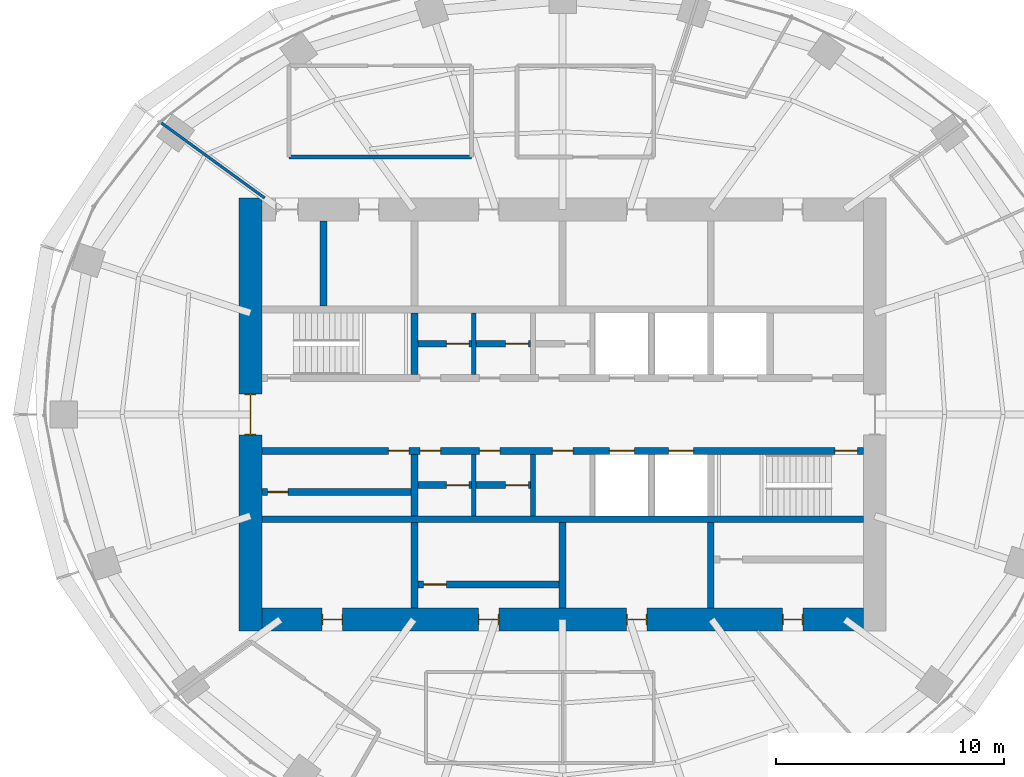
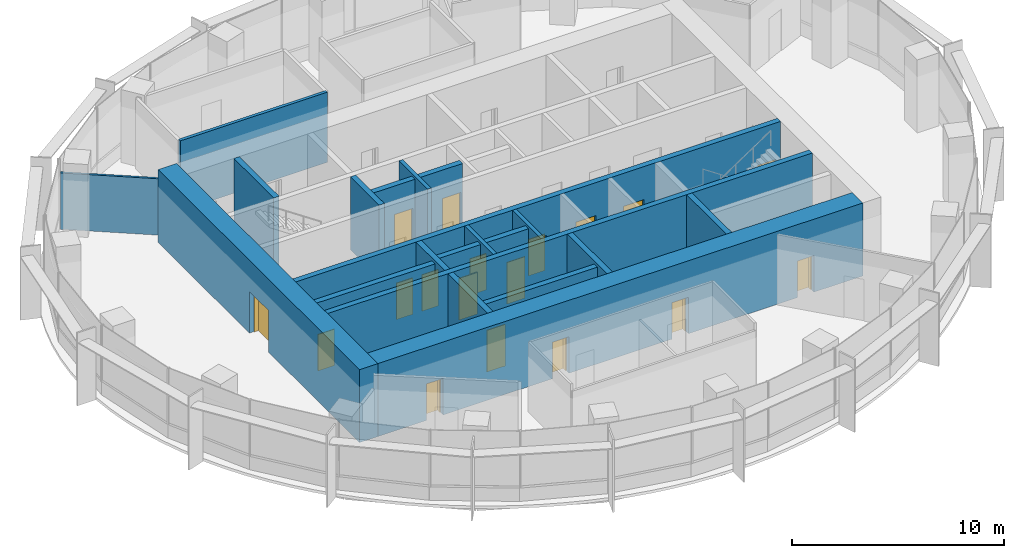
# One storey, part 9 of 13: 21 walls, 18 doors, 18 openings.
"""IFC4 building model written with IfcOpenShell, lengths in metres."""

from ifc_helpers import new_model, si_unit, direction, frame, frame_2d, origin, place, context, subcontext, project, spatial, rectangle, extrude, material, layer, layer_set, type_object, element, fill, save


model = new_model("IFC4")

# Units and contexts
model_context = context("Model", 3, precision=1e-05, world=origin(), true_north=direction((0.0, 1.0)))
body_context = subcontext(model_context, "Body", "Model", "MODEL_VIEW")
ifc_project = project(units=[si_unit("LENGTHUNIT", "METRE"), si_unit("AREAUNIT", "SQUARE_METRE"), si_unit("VOLUMEUNIT", "CUBIC_METRE"), si_unit("PLANEANGLEUNIT", "RADIAN"), si_unit("MASSUNIT", "GRAM", prefix="KILO")], contexts=[model_context])

# Site, building, storey
site_placement = place(None, origin())
site = spatial("IfcSite", under=ifc_project, at=site_placement, CompositionType="ELEMENT")
building_placement = place(site_placement, origin())
building = spatial("IfcBuilding", under=site, at=building_placement, Name="Marramba Exchange Tower", CompositionType="ELEMENT")
storey_placement = place(building_placement, frame((0.0, 0.0, 268.60009765625)))
storey = spatial("IfcBuildingStorey", under=building, at=storey_placement, Name="L65", CompositionType="ELEMENT", Elevation=268.60009765625)

# Walls
ifc_material_1 = material(Name="Plasterboard on staggered double steel studs, acoustic insulation", Category="steel")
ifc_layer_1 = layer(ifc_material_1, 0.169921875)
ifc_layer_set_1 = layer_set([ifc_layer_1], Name="Acoustic partition 170")
wall_type_1 = type_object("IfcWallType", Name="Acoustic partition 170", PredefinedType="PARTITIONING", material=ifc_layer_set_1)
wall_1_placement = place(storey_placement, frame((-4.0, 11.300048828125, 0.0), z_axis=(0.0, 0.0, 1.0), x_axis=(-1.0, 0.0, 0.0)))
element("IfcWall", 1, at=wall_1_placement, inside=storey, type_object=wall_type_1, Name="Acoustic partition L65 22", PredefinedType="PARTITIONING", context=body_context, shape_type="SweptSolid", body=[
    extrude(rectangle(XDim=8.0, YDim=0.169921875, at=frame_2d((4.0, 0.0))), origin(), (0.0, 0.0, 1.0), 4.039794921875),
])
ifc_material_2 = material(Name="Concrete N50", Category="concrete")
ifc_layer_2 = layer(ifc_material_2, 0.199951171875)
ifc_layer_set_2 = layer_set([ifc_layer_2], Name="Core shaft wall 200")
wall_type_2 = type_object("IfcWallType", Name="Core shaft wall 200", PredefinedType="SHEAR", material=ifc_layer_set_2)
for number, where, z_axis, x_axis, name in (
    (2, (-3.89990234375, 1.75, 0.0), (0.0, 0.0, 1.0), (0.0, 1.0, 0.0), "Core wall SHN1 L65"),
    (3, (-3.89990234375, -1.75, 0.0), (0.0, 0.0, 1.0), (0.0, -1.0, 0.0), "Core wall SHS1 L65"),
    (4, (-1.300048828125, -1.75, 0.0), (0.0, 0.0, 1.0), (0.0, -1.0, 0.0), "Core wall SHS2 L65"),
):
    element("IfcWall", number, at=place(storey_placement, frame(where, z_axis=z_axis, x_axis=x_axis)), inside=storey, type_object=wall_type_2, Name=name, PredefinedType="SHEAR", context=body_context, shape_type="SweptSolid", body=[
        extrude(rectangle(XDim=2.699951171875, YDim=0.199951171875, at=frame_2d((1.35009765625, 0.0))), origin(), (0.0, 0.0, 1.0), 4.199951171875),
    ])

# Wall, openings, doors
ifc_layer_3 = layer(ifc_material_2, 1.0)
ifc_layer_set_3 = layer_set([ifc_layer_3], Name="Core wall 1000")
wall_type_3 = type_object("IfcWallType", Name="Core wall 1000", PredefinedType="SHEAR", material=ifc_layer_set_3)
wall_2_placement = place(storey_placement, frame((-13.199951171875, -9.0, 0.0), z_axis=(0.0, 0.0, 1.0), x_axis=(1.0, 0.0, 0.0)))
wall_2 = element("IfcWall", 5, at=wall_2_placement, inside=storey, type_object=wall_type_3, Name="Core wall S L65", PredefinedType="SHEAR", context=body_context, shape_type="SweptSolid", body=[
    extrude(rectangle(XDim=26.39990234375, YDim=1.0, at=frame_2d((13.199951171875, 0.0))), origin(), (0.0, 0.0, 1.0), 4.199951171875),
])
opening_1_placement = place(wall_2_placement, frame((2.64990234375, 0.0, 0.0)))
opening_1 = element("IfcOpeningElement", 6, at=opening_1_placement, cuts=wall_2, Name="Opening D5", PredefinedType="OPENING", context=body_context, shape_type="SweptSolid", body=[
    extrude(rectangle(XDim=0.89990234375, YDim=2.10009765625, at=frame_2d((0.449951171875, 1.050048828125))), frame((0.0, 0.510009765625, 0.0), z_axis=(0.0, -1.0, 0.0), x_axis=(1.0, 0.0, 0.0)), (0.0, 0.0, 1.0), 1.02001953125),
])
opening_2_placement = place(wall_2_placement, frame((9.5, 0.0, 0.0)))
opening_2 = element("IfcOpeningElement", 7, at=opening_2_placement, cuts=wall_2, Name="Opening D5", PredefinedType="OPENING", context=body_context, shape_type="SweptSolid", body=[
    extrude(rectangle(XDim=0.89990234375, YDim=2.10009765625, at=frame_2d((0.449951171875, 1.050048828125))), frame((0.0, 0.510009765625, 0.0), z_axis=(0.0, -1.0, 0.0), x_axis=(1.0, 0.0, 0.0)), (0.0, 0.0, 1.0), 1.02001953125),
])
opening_3_placement = place(wall_2_placement, frame((16.0, 0.0, 0.0)))
opening_3 = element("IfcOpeningElement", 8, at=opening_3_placement, cuts=wall_2, Name="Opening D5", PredefinedType="OPENING", context=body_context, shape_type="SweptSolid", body=[
    extrude(rectangle(XDim=0.89990234375, YDim=2.10009765625, at=frame_2d((0.449951171875, 1.050048828125))), frame((0.0, 0.510009765625, 0.0), z_axis=(0.0, -1.0, 0.0), x_axis=(1.0, 0.0, 0.0)), (0.0, 0.0, 1.0), 1.02001953125),
])
opening_4_placement = place(wall_2_placement, frame((22.85009765625, 0.0, 0.0)))
opening_4 = element("IfcOpeningElement", 9, at=opening_4_placement, cuts=wall_2, Name="Opening D5", PredefinedType="OPENING", context=body_context, shape_type="SweptSolid", body=[
    extrude(rectangle(XDim=0.89990234375, YDim=2.10009765625, at=frame_2d((0.449951171875, 1.050048828125))), frame((0.0, 0.510009765625, 0.0), z_axis=(0.0, -1.0, 0.0), x_axis=(1.0, 0.0, 0.0)), (0.0, 0.0, 1.0), 1.02001953125),
])
ifc_material_3 = material(Name="Steel-framed door", Category="steel")
door_type_1 = type_object("IfcDoorType", Name="Service door 900x2100", OperationType="SINGLE_SWING_LEFT", PredefinedType="DOOR", material=ifc_material_3)
door_1_placement = place(opening_1_placement, origin())
door_1 = element("IfcDoor", 10, at=door_1_placement, inside=storey, type_object=door_type_1, Name="D5 ahu L65", OperationType="SINGLE_SWING_LEFT", OverallHeight=2.10009765625, OverallWidth=0.89990234375, PredefinedType="DOOR", context=body_context, shape_type="SweptSolid", body=[
    extrude(rectangle(XDim=0.81982421875, YDim=2.06005859375, at=frame_2d((0.449951171875, 1.030029296875))), frame((0.0, 0.02490234375, 0.0), z_axis=(0.0, -1.0, 0.0), x_axis=(1.0, 0.0, 0.0)), (0.0, 0.0, 1.0), 0.050048828125),
    extrude(rectangle(XDim=0.04, YDim=2.10009765625, at=frame_2d((0.02001953125, 1.050048828125))), frame((0.0, 0.25, 0.0), z_axis=(0.0, -1.0, 0.0), x_axis=(1.0, 0.0, 0.0)), (0.0, 0.0, 1.0), 0.5),
    extrude(rectangle(XDim=0.04, YDim=2.10009765625, at=frame_2d((0.8798828125, 1.050048828125))), frame((0.0, 0.25, 0.0), z_axis=(0.0, -1.0, 0.0), x_axis=(1.0, 0.0, 0.0)), (0.0, 0.0, 1.0), 0.5),
    extrude(rectangle(XDim=0.81982421875, YDim=0.04, at=frame_2d((0.449951171875, 2.080078125))), frame((0.0, 0.25, 0.0), z_axis=(0.0, -1.0, 0.0), x_axis=(1.0, 0.0, 0.0)), (0.0, 0.0, 1.0), 0.5),
])
fill(opening_1, door_1)
door_2_placement = place(opening_2_placement, origin())
door_2 = element("IfcDoor", 11, at=door_2_placement, inside=storey, type_object=door_type_1, Name="D5 store L65", OperationType="SINGLE_SWING_RIGHT", OverallHeight=2.10009765625, OverallWidth=0.89990234375, PredefinedType="DOOR", context=body_context, shape_type="SweptSolid", body=[
    extrude(rectangle(XDim=0.81982421875, YDim=2.06005859375, at=frame_2d((0.449951171875, 1.030029296875))), frame((0.0, 0.02490234375, 0.0), z_axis=(0.0, -1.0, 0.0), x_axis=(1.0, 0.0, 0.0)), (0.0, 0.0, 1.0), 0.050048828125),
    extrude(rectangle(XDim=0.04, YDim=2.10009765625, at=frame_2d((0.02001953125, 1.050048828125))), frame((0.0, 0.25, 0.0), z_axis=(0.0, -1.0, 0.0), x_axis=(1.0, 0.0, 0.0)), (0.0, 0.0, 1.0), 0.5),
    extrude(rectangle(XDim=0.04, YDim=2.10009765625, at=frame_2d((0.8798828125, 1.050048828125))), frame((0.0, 0.25, 0.0), z_axis=(0.0, -1.0, 0.0), x_axis=(1.0, 0.0, 0.0)), (0.0, 0.0, 1.0), 0.5),
    extrude(rectangle(XDim=0.81982421875, YDim=0.04, at=frame_2d((0.449951171875, 2.080078125))), frame((0.0, 0.25, 0.0), z_axis=(0.0, -1.0, 0.0), x_axis=(1.0, 0.0, 0.0)), (0.0, 0.0, 1.0), 0.5),
])
fill(opening_2, door_2)
door_3_placement = place(opening_3_placement, origin())
door_3 = element("IfcDoor", 12, at=door_3_placement, inside=storey, type_object=door_type_1, Name="D5 switch L65", OperationType="SINGLE_SWING_RIGHT", OverallHeight=2.10009765625, OverallWidth=0.89990234375, PredefinedType="DOOR", context=body_context, shape_type="SweptSolid", body=[
    extrude(rectangle(XDim=0.81982421875, YDim=2.06005859375, at=frame_2d((0.449951171875, 1.030029296875))), frame((0.0, 0.02490234375, 0.0), z_axis=(0.0, -1.0, 0.0), x_axis=(1.0, 0.0, 0.0)), (0.0, 0.0, 1.0), 0.050048828125),
    extrude(rectangle(XDim=0.04, YDim=2.10009765625, at=frame_2d((0.02001953125, 1.050048828125))), frame((0.0, 0.25, 0.0), z_axis=(0.0, -1.0, 0.0), x_axis=(1.0, 0.0, 0.0)), (0.0, 0.0, 1.0), 0.5),
    extrude(rectangle(XDim=0.04, YDim=2.10009765625, at=frame_2d((0.8798828125, 1.050048828125))), frame((0.0, 0.25, 0.0), z_axis=(0.0, -1.0, 0.0), x_axis=(1.0, 0.0, 0.0)), (0.0, 0.0, 1.0), 0.5),
    extrude(rectangle(XDim=0.81982421875, YDim=0.04, at=frame_2d((0.449951171875, 2.080078125))), frame((0.0, 0.25, 0.0), z_axis=(0.0, -1.0, 0.0), x_axis=(1.0, 0.0, 0.0)), (0.0, 0.0, 1.0), 0.5),
])
fill(opening_3, door_3)
door_4_placement = place(opening_4_placement, origin())
door_4 = element("IfcDoor", 13, at=door_4_placement, inside=storey, type_object=door_type_1, Name="D5 cstore L65", OperationType="SINGLE_SWING_RIGHT", OverallHeight=2.10009765625, OverallWidth=0.89990234375, PredefinedType="DOOR", context=body_context, shape_type="SweptSolid", body=[
    extrude(rectangle(XDim=0.81982421875, YDim=2.06005859375, at=frame_2d((0.449951171875, 1.030029296875))), frame((0.0, 0.02490234375, 0.0), z_axis=(0.0, -1.0, 0.0), x_axis=(1.0, 0.0, 0.0)), (0.0, 0.0, 1.0), 0.050048828125),
    extrude(rectangle(XDim=0.04, YDim=2.10009765625, at=frame_2d((0.02001953125, 1.050048828125))), frame((0.0, 0.25, 0.0), z_axis=(0.0, -1.0, 0.0), x_axis=(1.0, 0.0, 0.0)), (0.0, 0.0, 1.0), 0.5),
    extrude(rectangle(XDim=0.04, YDim=2.10009765625, at=frame_2d((0.8798828125, 1.050048828125))), frame((0.0, 0.25, 0.0), z_axis=(0.0, -1.0, 0.0), x_axis=(1.0, 0.0, 0.0)), (0.0, 0.0, 1.0), 0.5),
    extrude(rectangle(XDim=0.81982421875, YDim=0.04, at=frame_2d((0.449951171875, 2.080078125))), frame((0.0, 0.25, 0.0), z_axis=(0.0, -1.0, 0.0), x_axis=(1.0, 0.0, 0.0)), (0.0, 0.0, 1.0), 0.5),
])
fill(opening_4, door_4)

# Wall, opening, door
wall_3_placement = place(storey_placement, frame((-13.699951171875, 9.5, 0.0), z_axis=(0.0, 0.0, 1.0), x_axis=(0.0, -1.0, 0.0)))
wall_3 = element("IfcWall", 14, at=wall_3_placement, inside=storey, type_object=wall_type_3, Name="Core wall W L65", PredefinedType="SHEAR", context=body_context, shape_type="SweptSolid", body=[
    extrude(rectangle(XDim=19.0, YDim=1.0, at=frame_2d((9.5, 0.0))), origin(), (0.0, 0.0, 1.0), 4.199951171875),
])
opening_5_placement = place(wall_3_placement, frame((8.60009765625, 0.0, 0.0)))
opening_5 = element("IfcOpeningElement", 15, at=opening_5_placement, cuts=wall_3, Name="Opening D1", PredefinedType="OPENING", context=body_context, shape_type="SweptSolid", body=[
    extrude(rectangle(XDim=1.800048828125, YDim=2.39990234375, at=frame_2d((0.89990234375, 1.199951171875))), frame((0.0, 0.510009765625, 0.0), z_axis=(0.0, -1.0, 0.0), x_axis=(1.0, 0.0, 0.0)), (0.0, 0.0, 1.0), 1.02001953125),
])
door_type_2 = type_object("IfcDoorType", Name="Lobby exit door 1800x2400", OperationType="DOUBLE_DOOR_SINGLE_SWING", PredefinedType="DOOR", material=ifc_material_3)
door_5_placement = place(opening_5_placement, origin())
door_5 = element("IfcDoor", 16, at=door_5_placement, inside=storey, type_object=door_type_2, Name="D1 lobby exit west L65", OperationType="DOUBLE_DOOR_SINGLE_SWING", OverallHeight=2.39990234375, OverallWidth=1.800048828125, PredefinedType="DOOR", context=body_context, shape_type="SweptSolid", body=[
    extrude(rectangle(XDim=1.719970703125, YDim=2.35986328125, at=frame_2d((0.89990234375, 1.179931640625))), frame((0.0, 0.02490234375, 0.0), z_axis=(0.0, -1.0, 0.0), x_axis=(1.0, 0.0, 0.0)), (0.0, 0.0, 1.0), 0.050048828125),
    extrude(rectangle(XDim=0.04, YDim=2.39990234375, at=frame_2d((0.02001953125, 1.199951171875))), frame((0.0, 0.25, 0.0), z_axis=(0.0, -1.0, 0.0), x_axis=(1.0, 0.0, 0.0)), (0.0, 0.0, 1.0), 0.5),
    extrude(rectangle(XDim=0.04, YDim=2.39990234375, at=frame_2d((1.780029296875, 1.199951171875))), frame((0.0, 0.25, 0.0), z_axis=(0.0, -1.0, 0.0), x_axis=(1.0, 0.0, 0.0)), (0.0, 0.0, 1.0), 0.5),
    extrude(rectangle(XDim=1.719970703125, YDim=0.04, at=frame_2d((0.89990234375, 2.3798828125))), frame((0.0, 0.25, 0.0), z_axis=(0.0, -1.0, 0.0), x_axis=(1.0, 0.0, 0.0)), (0.0, 0.0, 1.0), 0.5),
])
fill(opening_5, door_5)

# Wall, openings, doors
ifc_layer_4 = layer(ifc_material_2, 0.300048828125)
ifc_layer_set_4 = layer_set([ifc_layer_4], Name="Core wall 300")
wall_type_4 = type_object("IfcWallType", Name="Core wall 300", PredefinedType="SHEAR", material=ifc_layer_set_4)
wall_4_placement = place(storey_placement, frame((-13.199951171875, -1.60009765625, 0.0), z_axis=(0.0, 0.0, 1.0), x_axis=(1.0, 0.0, 0.0)))
wall_4 = element("IfcWall", 17, at=wall_4_placement, inside=storey, type_object=wall_type_4, Name="Core wall LS L65", PredefinedType="SHEAR", context=body_context, shape_type="SweptSolid", body=[
    extrude(rectangle(XDim=26.39990234375, YDim=0.300048828125, at=frame_2d((13.199951171875, 0.0))), origin(), (0.0, 0.0, 1.0), 4.199951171875),
])
opening_6_placement = place(wall_4_placement, frame((25.14990234375, 0.0, 0.0)))
opening_6 = element("IfcOpeningElement", 18, at=opening_6_placement, cuts=wall_4, Name="Opening D2", PredefinedType="OPENING", context=body_context, shape_type="SweptSolid", body=[
    extrude(rectangle(XDim=1.0, YDim=2.10009765625, at=frame_2d((0.5, 1.050048828125))), frame((0.0, 0.159912109375, 0.0), z_axis=(0.0, -1.0, 0.0), x_axis=(1.0, 0.0, 0.0)), (0.0, 0.0, 1.0), 0.320068359375),
])
opening_7_placement = place(wall_4_placement, frame((6.949951171875, 0.0, 0.0)))
opening_7 = element("IfcOpeningElement", 19, at=opening_7_placement, cuts=wall_4, Name="Opening D5", PredefinedType="OPENING", context=body_context, shape_type="SweptSolid", body=[
    extrude(rectangle(XDim=0.89990234375, YDim=2.10009765625, at=frame_2d((0.449951171875, 1.050048828125))), frame((0.0, 0.159912109375, 0.0), z_axis=(0.0, -1.0, 0.0), x_axis=(1.0, 0.0, 0.0)), (0.0, 0.0, 1.0), 0.320068359375),
])
opening_8_placement = place(wall_4_placement, frame((9.550048828125, 0.0, 0.0)))
opening_8 = element("IfcOpeningElement", 20, at=opening_8_placement, cuts=wall_4, Name="Opening D5", PredefinedType="OPENING", context=body_context, shape_type="SweptSolid", body=[
    extrude(rectangle(XDim=0.89990234375, YDim=2.10009765625, at=frame_2d((0.449951171875, 1.050048828125))), frame((0.0, 0.159912109375, 0.0), z_axis=(0.0, -1.0, 0.0), x_axis=(1.0, 0.0, 0.0)), (0.0, 0.0, 1.0), 0.320068359375),
])
opening_9_placement = place(wall_4_placement, frame((12.75, 0.0, 0.0)))
opening_9 = element("IfcOpeningElement", 21, at=opening_9_placement, cuts=wall_4, Name="Opening D5", PredefinedType="OPENING", context=body_context, shape_type="SweptSolid", body=[
    extrude(rectangle(XDim=0.89990234375, YDim=2.10009765625, at=frame_2d((0.449951171875, 1.050048828125))), frame((0.0, 0.159912109375, 0.0), z_axis=(0.0, -1.0, 0.0), x_axis=(1.0, 0.0, 0.0)), (0.0, 0.0, 1.0), 0.320068359375),
])
opening_10_placement = place(wall_4_placement, frame((15.25, 0.0, 0.0)))
opening_10 = element("IfcOpeningElement", 22, at=opening_10_placement, cuts=wall_4, Name="Opening LD2", PredefinedType="OPENING", context=body_context, shape_type="SweptSolid", body=[
    extrude(rectangle(XDim=1.10009765625, YDim=2.300048828125, at=frame_2d((0.550048828125, 1.14990234375))), frame((0.0, 0.159912109375, 0.0), z_axis=(0.0, -1.0, 0.0), x_axis=(1.0, 0.0, 0.0)), (0.0, 0.0, 1.0), 0.320068359375),
])
opening_11_placement = place(wall_4_placement, frame((17.85009765625, 0.0, 0.0)))
opening_11 = element("IfcOpeningElement", 23, at=opening_11_placement, cuts=wall_4, Name="Opening LD2", PredefinedType="OPENING", context=body_context, shape_type="SweptSolid", body=[
    extrude(rectangle(XDim=1.10009765625, YDim=2.300048828125, at=frame_2d((0.550048828125, 1.14990234375))), frame((0.0, 0.159912109375, 0.0), z_axis=(0.0, -1.0, 0.0), x_axis=(1.0, 0.0, 0.0)), (0.0, 0.0, 1.0), 0.320068359375),
])
opening_12_placement = place(wall_4_placement, frame((5.550048828125, 0.0, 0.0)))
opening_12 = element("IfcOpeningElement", 24, at=opening_12_placement, cuts=wall_4, Name="Opening D5", PredefinedType="OPENING", context=body_context, shape_type="SweptSolid", body=[
    extrude(rectangle(XDim=0.89990234375, YDim=2.10009765625, at=frame_2d((0.449951171875, 1.050048828125))), frame((0.0, 0.159912109375, 0.0), z_axis=(0.0, -1.0, 0.0), x_axis=(1.0, 0.0, 0.0)), (0.0, 0.0, 1.0), 0.320068359375),
])
door_type_3 = type_object("IfcDoorType", Name="Emergency lift landing door 1100x2300", OperationType="SLIDING_TO_LEFT", PredefinedType="DOOR", material=ifc_material_3)
door_6_placement = place(opening_10_placement, frame((1.10009765625, 0.0, 0.0), z_axis=(0.0, 0.0, 1.0), x_axis=(-1.0, 0.0, 0.0)))
door_6 = element("IfcDoor", 25, at=door_6_placement, inside=storey, type_object=door_type_3, Name="FL1 landing door L65", OperationType="SLIDING_TO_RIGHT", OverallHeight=2.300048828125, OverallWidth=1.10009765625, PredefinedType="DOOR", context=body_context, shape_type="SweptSolid", body=[
    extrude(rectangle(XDim=1.10009765625, YDim=2.300048828125, at=frame_2d((0.550048828125, 1.14990234375))), frame((0.0, 0.025146484375, 0.0), z_axis=(0.0, -1.0, 0.0), x_axis=(1.0, 0.0, 0.0)), (0.0, 0.0, 1.0), 0.050048828125),
])
fill(opening_10, door_6)
door_7_placement = place(opening_11_placement, frame((1.10009765625, 0.0, 0.0), z_axis=(0.0, 0.0, 1.0), x_axis=(-1.0, 0.0, 0.0)))
door_7 = element("IfcDoor", 26, at=door_7_placement, inside=storey, type_object=door_type_3, Name="FL2 landing door L65", OperationType="SLIDING_TO_LEFT", OverallHeight=2.300048828125, OverallWidth=1.10009765625, PredefinedType="DOOR", context=body_context, shape_type="SweptSolid", body=[
    extrude(rectangle(XDim=1.10009765625, YDim=2.300048828125, at=frame_2d((0.550048828125, 1.14990234375))), frame((0.0, 0.025146484375, 0.0), z_axis=(0.0, -1.0, 0.0), x_axis=(1.0, 0.0, 0.0)), (0.0, 0.0, 1.0), 0.050048828125),
])
fill(opening_11, door_7)
door_8_placement = place(opening_7_placement, frame((0.89990234375, 0.0, 0.0), z_axis=(0.0, 0.0, 1.0), x_axis=(-1.0, 0.0, 0.0)))
door_8 = element("IfcDoor", 27, at=door_8_placement, inside=storey, type_object=door_type_1, Name="D5 linen store n1 L65", OperationType="SINGLE_SWING_RIGHT", OverallHeight=2.10009765625, OverallWidth=0.89990234375, PredefinedType="DOOR", context=body_context, shape_type="SweptSolid", body=[
    extrude(rectangle(XDim=0.89990234375, YDim=2.10009765625, at=frame_2d((0.449951171875, 1.050048828125))), frame((0.0, 0.025146484375, 0.0), z_axis=(0.0, -1.0, 0.0), x_axis=(1.0, 0.0, 0.0)), (0.0, 0.0, 1.0), 0.050048828125),
])
fill(opening_7, door_8)
door_9_placement = place(opening_8_placement, frame((0.89990234375, 0.0, 0.0), z_axis=(0.0, 0.0, 1.0), x_axis=(-1.0, 0.0, 0.0)))
door_9 = element("IfcDoor", 28, at=door_9_placement, inside=storey, type_object=door_type_1, Name="D5 store room n1 L65", OperationType="SINGLE_SWING_RIGHT", OverallHeight=2.10009765625, OverallWidth=0.89990234375, PredefinedType="DOOR", context=body_context, shape_type="SweptSolid", body=[
    extrude(rectangle(XDim=0.89990234375, YDim=2.10009765625, at=frame_2d((0.449951171875, 1.050048828125))), frame((0.0, 0.025146484375, 0.0), z_axis=(0.0, -1.0, 0.0), x_axis=(1.0, 0.0, 0.0)), (0.0, 0.0, 1.0), 0.050048828125),
])
fill(opening_8, door_9)
door_10_placement = place(opening_9_placement, frame((0.89990234375, 0.0, 0.0), z_axis=(0.0, 0.0, 1.0), x_axis=(-1.0, 0.0, 0.0)))
door_10 = element("IfcDoor", 29, at=door_10_placement, inside=storey, type_object=door_type_1, Name="D5 vending room n2 L65", OperationType="SINGLE_SWING_RIGHT", OverallHeight=2.10009765625, OverallWidth=0.89990234375, PredefinedType="DOOR", context=body_context, shape_type="SweptSolid", body=[
    extrude(rectangle(XDim=0.89990234375, YDim=2.10009765625, at=frame_2d((0.449951171875, 1.050048828125))), frame((0.0, 0.025146484375, 0.0), z_axis=(0.0, -1.0, 0.0), x_axis=(1.0, 0.0, 0.0)), (0.0, 0.0, 1.0), 0.050048828125),
])
fill(opening_9, door_10)
door_11_placement = place(opening_12_placement, frame((0.89990234375, 0.0, 0.0), z_axis=(0.0, 0.0, 1.0), x_axis=(-1.0, 0.0, 0.0)))
door_11 = element("IfcDoor", 30, at=door_11_placement, inside=storey, type_object=door_type_1, Name="D5 electrical riser L65", OperationType="SINGLE_SWING_LEFT", OverallHeight=2.10009765625, OverallWidth=0.89990234375, PredefinedType="DOOR", context=body_context, shape_type="SweptSolid", body=[
    extrude(rectangle(XDim=0.89990234375, YDim=2.10009765625, at=frame_2d((0.449951171875, 1.050048828125))), frame((0.0, 0.025146484375, 0.0), z_axis=(0.0, -1.0, 0.0), x_axis=(1.0, 0.0, 0.0)), (0.0, 0.0, 1.0), 0.050048828125),
])
fill(opening_12, door_11)
door_type_4 = type_object("IfcDoorType", Name="Stair door 1000x2100", OperationType="SINGLE_SWING_LEFT", PredefinedType="DOOR", material=ifc_material_3)
door_12_placement = place(opening_6_placement, frame((1.0, 0.0, 0.0), z_axis=(0.0, 0.0, 1.0), x_axis=(-1.0, 0.0, 0.0)))
door_12 = element("IfcDoor", 31, at=door_12_placement, inside=storey, type_object=door_type_4, Name="D2 stair ST2 L65", OperationType="SINGLE_SWING_LEFT", OverallHeight=2.10009765625, OverallWidth=1.0, PredefinedType="DOOR", context=body_context, shape_type="SweptSolid", body=[
    extrude(rectangle(XDim=1.0, YDim=2.10009765625, at=frame_2d((0.5, 1.050048828125))), frame((0.0, 0.025146484375, 0.0), z_axis=(0.0, -1.0, 0.0), x_axis=(1.0, 0.0, 0.0)), (0.0, 0.0, 1.0), 0.050048828125),
])
fill(opening_6, door_12)

# Walls
wall_5_placement = place(storey_placement, frame((-13.199951171875, -4.60009765625, 0.0), z_axis=(0.0, 0.0, 1.0), x_axis=(1.0, 0.0, 0.0)))
element("IfcWall", 32, at=wall_5_placement, inside=storey, type_object=wall_type_4, Name="Core wall BS L65", PredefinedType="SHEAR", context=body_context, shape_type="SweptSolid", body=[
    extrude(rectangle(XDim=26.39990234375, YDim=0.300048828125, at=frame_2d((13.199951171875, 0.0))), origin(), (0.0, 0.0, 1.0), 4.199951171875),
])
for number, where, z_axis, x_axis, name in (
    (33, (-6.5, 1.75, 0.0), (0.0, 0.0, 1.0), (0.0, 1.0, 0.0), "Core wall X0Na L65"),
    (34, (-6.5, -1.75, 0.0), (0.0, 0.0, 1.0), (0.0, -1.0, 0.0), "Core wall X0Sa L65"),
):
    element("IfcWall", number, at=place(storey_placement, frame(where, z_axis=z_axis, x_axis=x_axis)), inside=storey, type_object=wall_type_4, Name=name, PredefinedType="SHEAR", context=body_context, shape_type="SweptSolid", body=[
        extrude(rectangle(XDim=2.699951171875, YDim=0.300048828125, at=frame_2d((1.35009765625, 0.0))), origin(), (0.0, 0.0, 1.0), 4.199951171875),
    ])
for number, where, z_axis, x_axis, name in (
    (35, (-6.5, -4.75, 0.0), (0.0, 0.0, 1.0), (0.0, -1.0, 0.0), "Core wall X0Sb L65"),
    (36, (6.5, -4.75, 0.0), (0.0, 0.0, 1.0), (0.0, -1.0, 0.0), "Core wall X1Sb L65"),
    (37, (0.0, -4.75, 0.0), (0.0, 0.0, 1.0), (0.0, -1.0, 0.0), "Core wall MS L65"),
    (38, (-10.5, 4.75, 0.0), (0.0, 0.0, 1.0), (0.0, 1.0, 0.0), "Core wall WD L65"),
):
    element("IfcWall", number, at=place(storey_placement, frame(where, z_axis=z_axis, x_axis=x_axis)), inside=storey, type_object=wall_type_4, Name=name, PredefinedType="SHEAR", context=body_context, shape_type="SweptSolid", body=[
        extrude(rectangle(XDim=3.75, YDim=0.300048828125, at=frame_2d((1.875, 0.0))), origin(), (0.0, 0.0, 1.0), 4.199951171875),
    ])
ifc_material_4 = material(Name="Plasterboard on steel studs", Category="steel")
ifc_layer_5 = layer(ifc_material_4, 0.1201171875)
ifc_layer_set_5 = layer_set([ifc_layer_5], Name="Partition 120")
wall_type_5 = type_object("IfcWallType", Name="Partition 120", PredefinedType="PARTITIONING", material=ifc_layer_set_5)
wall_6_placement = place(storey_placement, frame((-13.07568359375, 9.5, 0.0), z_axis=(0.0, 0.0, 1.0), x_axis=(-0.809011091578, 0.58779337671, 0.0)))
element("IfcWall", 39, at=wall_6_placement, inside=storey, type_object=wall_type_5, Name="Partition L65 24", PredefinedType="PARTITIONING", context=body_context, shape_type="SweptSolid", body=[
    extrude(rectangle(XDim=5.60302734375, YDim=0.1201171875, at=frame_2d((2.801513671875, 0.0))), origin(), (0.0, 0.0, 1.0), 3.239990234375),
])

# Wall, opening, door
ifc_material_5 = material(Name="Core-filled concrete blockwork", Category="masonry")
ifc_layer_6 = layer(ifc_material_5, 0.300048828125)
ifc_layer_set_6 = layer_set([ifc_layer_6], Name="Riser enclosure wall 300")
wall_type_6 = type_object("IfcWallType", Name="Riser enclosure wall 300", PredefinedType="SOLIDWALL", material=ifc_layer_set_6)
wall_7_placement = place(storey_placement, frame((-13.199951171875, -3.39990234375, 0.0), z_axis=(0.0, 0.0, 1.0), x_axis=(1.0, 0.0, 0.0)))
wall_7 = element("IfcWall", 40, at=wall_7_placement, inside=storey, type_object=wall_type_6, Name="Riser enclosure wall L65", PredefinedType="SOLIDWALL", context=body_context, shape_type="SweptSolid", body=[
    extrude(rectangle(XDim=6.550048828125, YDim=0.300048828125, at=frame_2d((3.27490234375, 0.0))), origin(), (0.0, 0.0, 1.0), 4.039794921875),
])
opening_13_placement = place(wall_7_placement, frame((0.25, 0.0, 0.0)))
opening_13 = element("IfcOpeningElement", 41, at=opening_13_placement, cuts=wall_7, Name="Opening D5", PredefinedType="OPENING", context=body_context, shape_type="SweptSolid", body=[
    extrude(rectangle(XDim=0.89990234375, YDim=2.10009765625, at=frame_2d((0.449951171875, 1.050048828125))), frame((0.0, 0.159912109375, 0.0), z_axis=(0.0, -1.0, 0.0), x_axis=(1.0, 0.0, 0.0)), (0.0, 0.0, 1.0), 0.320068359375),
])
door_13_placement = place(opening_13_placement, frame((0.89990234375, 0.0, 0.0), z_axis=(0.0, 0.0, 1.0), x_axis=(-1.0, 0.0, 0.0)))
door_13 = element("IfcDoor", 42, at=door_13_placement, inside=storey, type_object=door_type_1, Name="D5 electrical riser back L65", OperationType="SINGLE_SWING_RIGHT", OverallHeight=2.10009765625, OverallWidth=0.89990234375, PredefinedType="DOOR", context=body_context, shape_type="SweptSolid", body=[
    extrude(rectangle(XDim=0.89990234375, YDim=2.10009765625, at=frame_2d((0.449951171875, 1.050048828125))), frame((0.0, 0.025146484375, 0.0), z_axis=(0.0, -1.0, 0.0), x_axis=(1.0, 0.0, 0.0)), (0.0, 0.0, 1.0), 0.050048828125),
])
fill(opening_13, door_13)

ifc_material_6 = material(Name="Plasterboard on steel studs, insulated, unrated", Category="steel")
ifc_layer_7 = layer(ifc_material_6, 0.300048828125)
ifc_layer_set_7 = layer_set([ifc_layer_7], Name="Store partition 300")
wall_type_7 = type_object("IfcWallType", Name="Store partition 300", PredefinedType="PARTITIONING", material=ifc_layer_set_7)
wall_8_placement = place(storey_placement, frame((-6.35009765625, 3.10009765625, 0.0), z_axis=(0.0, 0.0, 1.0), x_axis=(1.0, 0.0, 0.0)))
wall_8 = element("IfcWall", 43, at=wall_8_placement, inside=storey, type_object=wall_type_7, Name="Store partition L65 N1", PredefinedType="PARTITIONING", context=body_context, shape_type="SweptSolid", body=[
    extrude(rectangle(XDim=2.35009765625, YDim=0.300048828125, at=frame_2d((1.175048828125, 0.0))), origin(), (0.0, 0.0, 1.0), 4.039794921875),
])
opening_14_placement = place(wall_8_placement, frame((1.25, 0.0, 0.0)))
opening_14 = element("IfcOpeningElement", 44, at=opening_14_placement, cuts=wall_8, Name="Opening D9", PredefinedType="OPENING", context=body_context, shape_type="SweptSolid", body=[
    extrude(rectangle(XDim=1.0, YDim=2.39990234375, at=frame_2d((0.5, 1.199951171875))), frame((0.0, 0.159912109375, 0.0), z_axis=(0.0, -1.0, 0.0), x_axis=(1.0, 0.0, 0.0)), (0.0, 0.0, 1.0), 0.320068359375),
])
ifc_material_7 = material(Name="Timber door", Category="wood")
door_type_5 = type_object("IfcDoorType", Name="Room door 1000x2400", OperationType="SINGLE_SWING_LEFT", PredefinedType="DOOR", material=ifc_material_7)
door_14_placement = place(opening_14_placement, origin())
door_14 = element("IfcDoor", 45, at=door_14_placement, inside=storey, type_object=door_type_5, Name="D9 store room N1 L65", OperationType="SINGLE_SWING_RIGHT", OverallHeight=2.39990234375, OverallWidth=1.0, PredefinedType="DOOR", context=body_context, shape_type="SweptSolid", body=[
    extrude(rectangle(XDim=1.0, YDim=2.39990234375, at=frame_2d((0.5, 1.199951171875))), frame((0.0, 0.02490234375, 0.0), z_axis=(0.0, -1.0, 0.0), x_axis=(1.0, 0.0, 0.0)), (0.0, 0.0, 1.0), 0.050048828125),
])
fill(opening_14, door_14)

wall_9_placement = place(storey_placement, frame((-3.800048828125, 3.10009765625, 0.0), z_axis=(0.0, 0.0, 1.0), x_axis=(1.0, 0.0, 0.0)))
wall_9 = element("IfcWall", 46, at=wall_9_placement, inside=storey, type_object=wall_type_7, Name="Store partition L65 N2", PredefinedType="PARTITIONING", context=body_context, shape_type="SweptSolid", body=[
    extrude(rectangle(XDim=2.400146484375, YDim=0.300048828125, at=frame_2d((1.2001953125, 0.0))), origin(), (0.0, 0.0, 1.0), 4.039794921875),
])
opening_15_placement = place(wall_9_placement, frame((1.300048828125, 0.0, 0.0)))
opening_15 = element("IfcOpeningElement", 47, at=opening_15_placement, cuts=wall_9, Name="Opening D9", PredefinedType="OPENING", context=body_context, shape_type="SweptSolid", body=[
    extrude(rectangle(XDim=1.0, YDim=2.39990234375, at=frame_2d((0.5, 1.199951171875))), frame((0.0, 0.159912109375, 0.0), z_axis=(0.0, -1.0, 0.0), x_axis=(1.0, 0.0, 0.0)), (0.0, 0.0, 1.0), 0.320068359375),
])
door_15_placement = place(opening_15_placement, origin())
door_15 = element("IfcDoor", 48, at=door_15_placement, inside=storey, type_object=door_type_5, Name="D9 store room N2 L65", OperationType="SINGLE_SWING_RIGHT", OverallHeight=2.39990234375, OverallWidth=1.0, PredefinedType="DOOR", context=body_context, shape_type="SweptSolid", body=[
    extrude(rectangle(XDim=1.0, YDim=2.39990234375, at=frame_2d((0.5, 1.199951171875))), frame((0.0, 0.02490234375, 0.0), z_axis=(0.0, -1.0, 0.0), x_axis=(1.0, 0.0, 0.0)), (0.0, 0.0, 1.0), 0.050048828125),
])
fill(opening_15, door_15)

wall_10_placement = place(storey_placement, frame((-6.35009765625, -3.10009765625, 0.0), z_axis=(0.0, 0.0, 1.0), x_axis=(1.0, 0.0, 0.0)))
wall_10 = element("IfcWall", 49, at=wall_10_placement, inside=storey, type_object=wall_type_7, Name="Store partition L65 S1", PredefinedType="PARTITIONING", context=body_context, shape_type="SweptSolid", body=[
    extrude(rectangle(XDim=2.35009765625, YDim=0.300048828125, at=frame_2d((1.175048828125, 0.0))), origin(), (0.0, 0.0, 1.0), 4.039794921875),
])
opening_16_placement = place(wall_10_placement, frame((1.25, 0.0, 0.0)))
opening_16 = element("IfcOpeningElement", 50, at=opening_16_placement, cuts=wall_10, Name="Opening D9", PredefinedType="OPENING", context=body_context, shape_type="SweptSolid", body=[
    extrude(rectangle(XDim=1.0, YDim=2.39990234375, at=frame_2d((0.5, 1.199951171875))), frame((0.0, 0.159912109375, 0.0), z_axis=(0.0, -1.0, 0.0), x_axis=(1.0, 0.0, 0.0)), (0.0, 0.0, 1.0), 0.320068359375),
])
door_16_placement = place(opening_16_placement, origin())
door_16 = element("IfcDoor", 51, at=door_16_placement, inside=storey, type_object=door_type_5, Name="D9 store room S1 L65", OperationType="SINGLE_SWING_RIGHT", OverallHeight=2.39990234375, OverallWidth=1.0, PredefinedType="DOOR", context=body_context, shape_type="SweptSolid", body=[
    extrude(rectangle(XDim=1.0, YDim=2.39990234375, at=frame_2d((0.5, 1.199951171875))), frame((0.0, 0.02490234375, 0.0), z_axis=(0.0, -1.0, 0.0), x_axis=(1.0, 0.0, 0.0)), (0.0, 0.0, 1.0), 0.050048828125),
])
fill(opening_16, door_16)

wall_11_placement = place(storey_placement, frame((-3.800048828125, -3.10009765625, 0.0), z_axis=(0.0, 0.0, 1.0), x_axis=(1.0, 0.0, 0.0)))
wall_11 = element("IfcWall", 52, at=wall_11_placement, inside=storey, type_object=wall_type_7, Name="Store partition L65 S2", PredefinedType="PARTITIONING", context=body_context, shape_type="SweptSolid", body=[
    extrude(rectangle(XDim=2.400146484375, YDim=0.300048828125, at=frame_2d((1.2001953125, 0.0))), origin(), (0.0, 0.0, 1.0), 4.039794921875),
])
opening_17_placement = place(wall_11_placement, frame((1.300048828125, 0.0, 0.0)))
opening_17 = element("IfcOpeningElement", 53, at=opening_17_placement, cuts=wall_11, Name="Opening D9", PredefinedType="OPENING", context=body_context, shape_type="SweptSolid", body=[
    extrude(rectangle(XDim=1.0, YDim=2.39990234375, at=frame_2d((0.5, 1.199951171875))), frame((0.0, 0.159912109375, 0.0), z_axis=(0.0, -1.0, 0.0), x_axis=(1.0, 0.0, 0.0)), (0.0, 0.0, 1.0), 0.320068359375),
])
door_17_placement = place(opening_17_placement, origin())
door_17 = element("IfcDoor", 54, at=door_17_placement, inside=storey, type_object=door_type_5, Name="D9 store room S2 L65", OperationType="SINGLE_SWING_RIGHT", OverallHeight=2.39990234375, OverallWidth=1.0, PredefinedType="DOOR", context=body_context, shape_type="SweptSolid", body=[
    extrude(rectangle(XDim=1.0, YDim=2.39990234375, at=frame_2d((0.5, 1.199951171875))), frame((0.0, 0.02490234375, 0.0), z_axis=(0.0, -1.0, 0.0), x_axis=(1.0, 0.0, 0.0)), (0.0, 0.0, 1.0), 0.050048828125),
])
fill(opening_17, door_17)

wall_12_placement = place(storey_placement, frame((-6.35009765625, -7.4599609375, 0.0), z_axis=(0.0, 0.0, 1.0), x_axis=(1.0, 0.0, 0.0)))
wall_12 = element("IfcWall", 55, at=wall_12_placement, inside=storey, type_object=wall_type_7, Name="Store partition L65 store", PredefinedType="PARTITIONING", context=body_context, shape_type="SweptSolid", body=[
    extrude(rectangle(XDim=6.2001953125, YDim=0.300048828125, at=frame_2d((3.10009765625, 0.0))), origin(), (0.0, 0.0, 1.0), 4.039794921875),
])
opening_18_placement = place(wall_12_placement, frame((0.25, 0.0, 0.0)))
opening_18 = element("IfcOpeningElement", 56, at=opening_18_placement, cuts=wall_12, Name="Opening D9", PredefinedType="OPENING", context=body_context, shape_type="SweptSolid", body=[
    extrude(rectangle(XDim=1.0, YDim=2.39990234375, at=frame_2d((0.5, 1.199951171875))), frame((0.0, 0.159912109375, 0.0), z_axis=(0.0, -1.0, 0.0), x_axis=(1.0, 0.0, 0.0)), (0.0, 0.0, 1.0), 0.320068359375),
])
door_18_placement = place(opening_18_placement, frame((1.0, 0.0, 0.0), z_axis=(0.0, 0.0, 1.0), x_axis=(-1.0, 0.0, 0.0)))
door_18 = element("IfcDoor", 57, at=door_18_placement, inside=storey, type_object=door_type_5, Name="D9 stationery store L65", OperationType="SINGLE_SWING_RIGHT", OverallHeight=2.39990234375, OverallWidth=1.0, PredefinedType="DOOR", context=body_context, shape_type="SweptSolid", body=[
    extrude(rectangle(XDim=1.0, YDim=2.39990234375, at=frame_2d((0.5, 1.199951171875))), frame((0.0, 0.025146484375, 0.0), z_axis=(0.0, -1.0, 0.0), x_axis=(1.0, 0.0, 0.0)), (0.0, 0.0, 1.0), 0.050048828125),
])
fill(opening_18, door_18)

save(model, "model.ifc")
